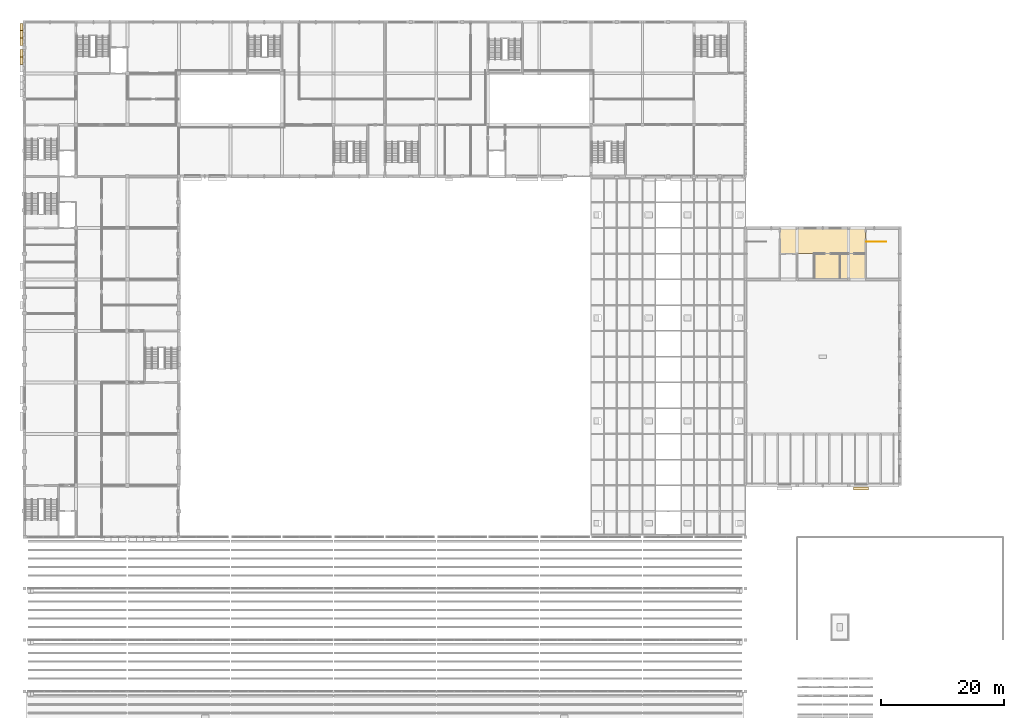
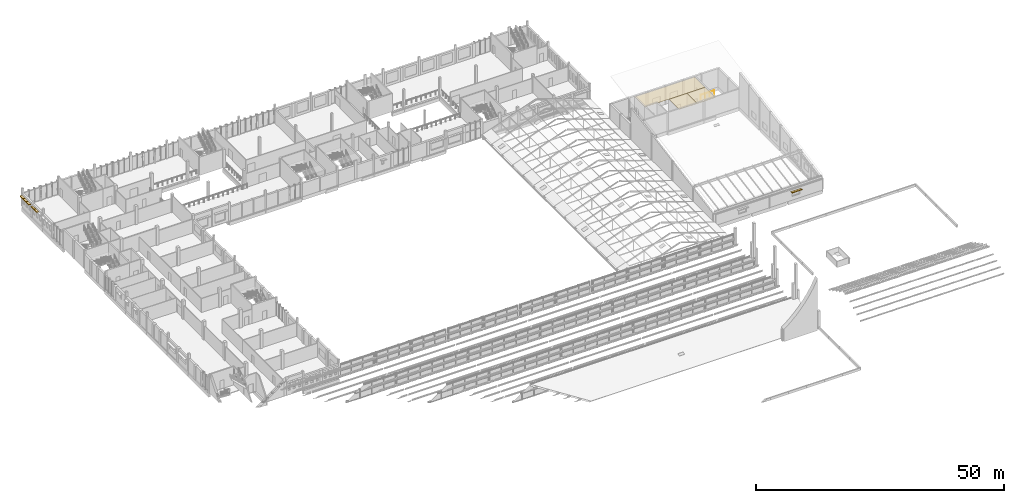
# One storey, part 114 of 116: 9 coverings, 1 railing.
"""IFC4 building model written with IfcOpenShell, lengths in metres."""

from ifc_helpers import new_model, si_unit, direction, frame, origin, origin_2d, place, context, subcontext, project, spatial, rectangle, circle, extrude, material, layer, layer_set, type_object, element, save


model = new_model("IFC4")

# Units and contexts
model_context = context("Model", 3, precision=1e-05, world=origin(), true_north=direction((0.0, 1.0)))
body_context = subcontext(model_context, "Body", "Model", "MODEL_VIEW")
ifc_project = project(units=[si_unit("LENGTHUNIT", "METRE"), si_unit("AREAUNIT", "SQUARE_METRE"), si_unit("VOLUMEUNIT", "CUBIC_METRE"), si_unit("PLANEANGLEUNIT", "RADIAN"), si_unit("MASSUNIT", "GRAM", prefix="KILO")], contexts=[model_context])

# Site, building, storey
site_placement = place(None, origin())
site = spatial("IfcSite", under=ifc_project, at=site_placement, CompositionType="ELEMENT")
building_placement = place(site_placement, origin())
building = spatial("IfcBuilding", under=site, at=building_placement, Name="Fescue Hill Polytechnic", CompositionType="ELEMENT")
storey_placement = place(building_placement, frame((0.0, 0.0, 13.5)))
storey = spatial("IfcBuildingStorey", under=building, at=storey_placement, Name="L03", CompositionType="ELEMENT", Elevation=13.5)

# Coverings
ifc_material_1 = material(Name="Precast concrete C40/50", Category="concrete")
ifc_layer = layer(ifc_material_1, 0.080078125)
ifc_layer_set = layer_set([ifc_layer], Name="Precast concrete C40/50")
covering_type = type_object("IfcCoveringType", Name="Shade blade precast 500x80", PredefinedType="CLADDING", material=ifc_layer_set)
for number, where, z_axis, x_axis, name in (
    (1, (-0.4599609375, 133.550048828125, 2.849853515625), (0.0, 0.0, 1.0), (0.0, -1.0, 0.0), "SB-L03-V5-3"),
    (2, (-0.4599609375, 132.35009765625, 2.849853515625), (0.0, 0.0, 1.0), (0.0, -1.0, 0.0), "SB-L03-V5-4"),
    (3, (-0.4599609375, 131.14990234375, 2.849853515625), (0.0, 0.0, 1.0), (0.0, -1.0, 0.0), "SB-L03-V5-5"),
    (4, (-0.4599609375, 129.25, 2.849853515625), (0.0, 0.0, 1.0), (0.0, -1.0, 0.0), "SB-L03-V5-6"),
    (5, (-0.4599609375, 128.050048828125, 2.849853515625), (0.0, 0.0, 1.0), (0.0, -1.0, 0.0), "SB-L03-V5-7"),
):
    element("IfcCovering", number, at=place(storey_placement, frame(where, z_axis=z_axis, x_axis=x_axis)), inside=storey, type_object=covering_type, Name=name, PredefinedType="CLADDING", context=body_context, shape_type="SweptSolid", body=[
        extrude(rectangle(XDim=1.199951171875, YDim=0.5, at=origin_2d()), origin(), (0.0, 0.0, 1.0), 0.080078125),
    ])
covering_1_placement = place(storey_placement, frame((136.429931640625, 58.324951171875, 2.14990234375), z_axis=(0.0, 0.0, 1.0), x_axis=(1.0, 0.0, 0.0)))
element("IfcCovering", 6, at=covering_1_placement, inside=storey, type_object=covering_type, Name="SB-L03-V2-2", PredefinedType="CLADDING", context=body_context, shape_type="SweptSolid", body=[
    extrude(rectangle(XDim=2.39990234375, YDim=0.5, at=origin_2d()), origin(), (0.0, 0.0, 1.0), 0.080078125),
])

# Railing
ifc_material_2 = material(Name="Steel 350W (350 MPa)", Category="steel")
railing_type = type_object("IfcRailingType", Name="Stair guard steel 1100", PredefinedType="GUARDRAIL", material=ifc_material_2)
railing_placement = place(storey_placement, frame((137.324951171875, 98.550048828125, 0.0)))
element("IfcRailing", 7, at=railing_placement, inside=storey, type_object=railing_type, Name="L03 ST-V2-2 well guard 1", PredefinedType="GUARDRAIL", context=body_context, shape_type="SweptSolid", body=[
    extrude(circle(Radius=0.02392578125, at=origin_2d()), frame((0.0, 0.0, 1.076171875), z_axis=(1.0, 0.0, 0.0), x_axis=(0.0, 1.0, 0.0)), (0.0, 0.0, 1.0), 3.175048828125),
    extrude(circle(Radius=0.02099609375, at=origin_2d()), origin(), (0.0, 0.0, 1.0), 1.052001953125),
    extrude(circle(Radius=0.02099609375, at=origin_2d()), frame((1.058349609375, 0.0, 0.0)), (0.0, 0.0, 1.0), 1.052001953125),
    extrude(circle(Radius=0.02099609375, at=origin_2d()), frame((2.11669921875, 0.0, 0.0)), (0.0, 0.0, 1.0), 1.052001953125),
    extrude(circle(Radius=0.02099609375, at=origin_2d()), frame((3.175048828125, 0.0, 0.0)), (0.0, 0.0, 1.0), 1.052001953125),
])

# Coverings
covering_2_placement = place(storey_placement, frame((130.199951171875, 98.699951171875, 4.14990234375), z_axis=(0.0, 0.0, 1.0), x_axis=(1.0, 0.0, 0.0)))
element("IfcCovering", 8, at=covering_2_placement, inside=storey, Name="Ceiling Lobby 3.04", PredefinedType="CEILING", context=body_context, shape_type="SweptSolid", body=[
    extrude(rectangle(XDim=14.0, YDim=4.199951171875, at=origin_2d()), origin(), (0.0, 0.0, 1.0), 0.0400390625),
])
for number, where, z_axis, x_axis, name in (
    (9, (130.89990234375, 94.5, 4.14990234375), (0.0, 0.0, 1.0), (1.0, 0.0, 0.0), "Ceiling Seminar Room 3.06"),
    (10, (135.10009765625, 94.5, 4.14990234375), (0.0, 0.0, 1.0), (1.0, 0.0, 0.0), "Ceiling Accessible WC 3.07"),
):
    element("IfcCovering", number, at=place(storey_placement, frame(where, z_axis=z_axis, x_axis=x_axis)), inside=storey, Name=name, PredefinedType="CEILING", context=body_context, shape_type="SweptSolid", body=[
        extrude(rectangle(XDim=4.199951171875, YDim=4.199951171875, at=origin_2d()), origin(), (0.0, 0.0, 1.0), 0.0400390625),
    ])

save(model, "model.ifc")
